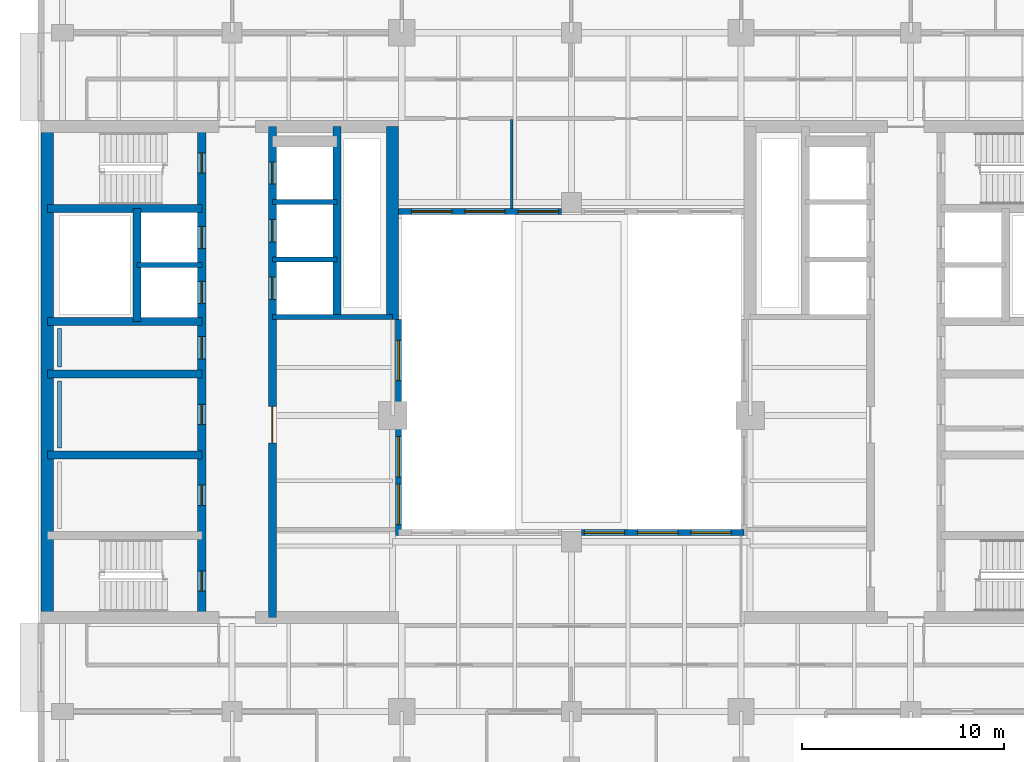
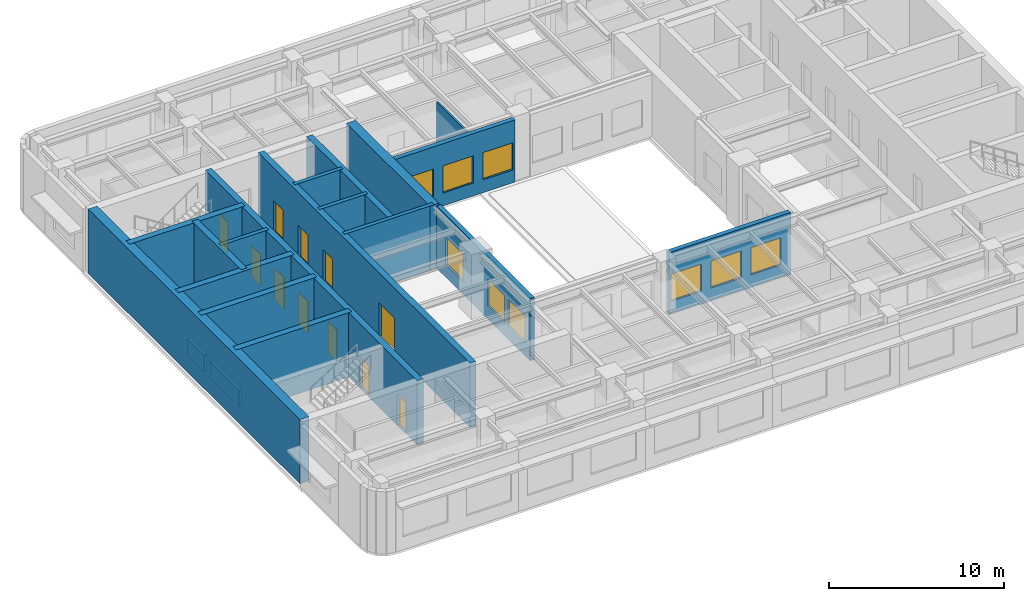
# One storey, part 4 of 11: 20 walls, 11 doors, 9 windows, 20 openings.
"""IFC4 building model written with IfcOpenShell, lengths in metres."""

from ifc_helpers import new_model, si_unit, direction, frame, frame_2d, origin, place, context, subcontext, project, spatial, rectangle, extrude, material, layer, layer_set, type_object, element, fill, save


model = new_model("IFC4")

# Units and contexts
model_context = context("Model", 3, precision=1e-05, world=origin(), true_north=direction((0.0, 1.0)))
body_context = subcontext(model_context, "Body", "Model", "MODEL_VIEW")
ifc_project = project(units=[si_unit("LENGTHUNIT", "METRE"), si_unit("AREAUNIT", "SQUARE_METRE"), si_unit("VOLUMEUNIT", "CUBIC_METRE"), si_unit("PLANEANGLEUNIT", "RADIAN"), si_unit("MASSUNIT", "GRAM", prefix="KILO")], contexts=[model_context])

# Site, building, storey
site_placement = place(None, origin())
site = spatial("IfcSite", under=ifc_project, at=site_placement, CompositionType="ELEMENT")
building_placement = place(site_placement, origin())
building = spatial("IfcBuilding", under=site, at=building_placement, Name="Claustro Exchange Tower", CompositionType="ELEMENT")
storey_placement = place(building_placement, frame((0.0, 0.0, 254.699951171875)))
storey = spatial("IfcBuildingStorey", under=building, at=storey_placement, Name="L58", CompositionType="ELEMENT", Elevation=254.699951171875)

# Wall
ifc_material_1 = material(Name="Laminated glass in aluminium frame", Category="aluminium")
ifc_layer_1 = layer(ifc_material_1, 0.1201171875)
ifc_layer_set_1 = layer_set([ifc_layer_1], Name="Laminated glass in aluminium frame")
wall_type_1 = type_object("IfcWallType", Name="P2 120 glazed partition", PredefinedType="PARTITIONING", material=ifc_layer_set_1)
wall_1_placement = place(storey_placement, frame((22.239990234375, 33.298095703125, 0.0), z_axis=(0.0, 0.0, 1.0), x_axis=(0.0, 1.0, 0.0)))
element("IfcWall", 1, at=wall_1_placement, inside=storey, type_object=wall_type_1, Name="Partition P2 L58", PredefinedType="PARTITIONING", context=body_context, shape_type="SweptSolid", body=[
    extrude(rectangle(XDim=4.40380859375, YDim=0.1201171875, at=frame_2d((2.201904296875, 0.0))), origin(), (0.0, 0.0, 1.0), 3.66015625),
])

# Wall, openings, windows
ifc_material_2 = material(Name="Concrete HA-40 (C40/50), precast, white cement, acid-etched", Category="concrete")
ifc_layer_2 = layer(ifc_material_2, 0.300048828125)
ifc_layer_set_2 = layer_set([ifc_layer_2], Name="Concrete HA-40 (C40/50), precast, white cement, acid-etched")
wall_type_2 = type_object("IfcWallType", Name="PC1 300 precast concrete pier panel", PredefinedType="SOLIDWALL", material=ifc_layer_set_2)
wall_2_placement = place(storey_placement, frame((16.64990234375, 17.10009765625, 0.0), z_axis=(0.0, 0.0, 1.0), x_axis=(0.0, 1.0, 0.0)))
wall_2 = element("IfcWall", 2, at=wall_2_placement, inside=storey, type_object=wall_type_2, Name="Precast pier panel PC1 L58", PredefinedType="SOLIDWALL", context=body_context, shape_type="SweptSolid", body=[
    extrude(rectangle(XDim=10.699951171875, YDim=0.300048828125, at=frame_2d((5.35009765625, 0.0))), origin(), (0.0, 0.0, 1.0), 4.35009765625),
])
opening_1_placement = place(wall_2_placement, frame((0.550048828125, 0.0, 0.89990234375)))
opening_1 = element("IfcOpeningElement", 3, at=opening_1_placement, cuts=wall_2, Name="Opening W4", PredefinedType="OPENING", context=body_context, shape_type="SweptSolid", body=[
    extrude(rectangle(XDim=2.0, YDim=1.89990234375, at=frame_2d((1.0, 0.949951171875))), frame((0.0, 0.159912109375, 0.0), z_axis=(0.0, -1.0, 0.0), x_axis=(1.0, 0.0, 0.0)), (0.0, 0.0, 1.0), 0.320068359375),
])
opening_2_placement = place(wall_2_placement, frame((2.89990234375, 0.0, 0.89990234375)))
opening_2 = element("IfcOpeningElement", 4, at=opening_2_placement, cuts=wall_2, Name="Opening W4", PredefinedType="OPENING", context=body_context, shape_type="SweptSolid", body=[
    extrude(rectangle(XDim=2.0, YDim=1.89990234375, at=frame_2d((1.0, 0.949951171875))), frame((0.0, 0.159912109375, 0.0), z_axis=(0.0, -1.0, 0.0), x_axis=(1.0, 0.0, 0.0)), (0.0, 0.0, 1.0), 0.320068359375),
])
opening_3_placement = place(wall_2_placement, frame((7.675048828125, 0.0, 0.89990234375)))
opening_3 = element("IfcOpeningElement", 5, at=opening_3_placement, cuts=wall_2, Name="Opening W4", PredefinedType="OPENING", context=body_context, shape_type="SweptSolid", body=[
    extrude(rectangle(XDim=2.0, YDim=1.89990234375, at=frame_2d((1.0, 0.949951171875))), frame((0.0, 0.159912109375, 0.0), z_axis=(0.0, -1.0, 0.0), x_axis=(1.0, 0.0, 0.0)), (0.0, 0.0, 1.0), 0.320068359375),
])
ifc_material_3 = material(Name="Aluminium frame, clear double glazing", Category="aluminium")
window_type = type_object("IfcWindowType", Name="W4 2000 x 1900 light well window", PartitioningType="SINGLE_PANEL", PredefinedType="WINDOW", material=ifc_material_3)
window_1_placement = place(opening_1_placement, origin())
window_1 = element("IfcWindow", 6, at=window_1_placement, inside=storey, type_object=window_type, Name="Window W4 L58", OverallHeight=1.89990234375, OverallWidth=2.0, PartitioningType="SINGLE_PANEL", PredefinedType="WINDOW", context=body_context, shape_type="SweptSolid", body=[
    extrude(rectangle(XDim=2.0, YDim=1.89990234375, at=frame_2d((1.0, 0.949951171875))), frame((0.0, 0.030029296875, 0.0), z_axis=(0.0, -1.0, 0.0), x_axis=(1.0, 0.0, 0.0)), (0.0, 0.0, 1.0), 0.06005859375),
])
fill(opening_1, window_1)
window_2_placement = place(opening_2_placement, origin())
window_2 = element("IfcWindow", 7, at=window_2_placement, inside=storey, type_object=window_type, Name="Window W4 L58", OverallHeight=1.89990234375, OverallWidth=2.0, PartitioningType="SINGLE_PANEL", PredefinedType="WINDOW", context=body_context, shape_type="SweptSolid", body=[
    extrude(rectangle(XDim=2.0, YDim=1.89990234375, at=frame_2d((1.0, 0.949951171875))), frame((0.0, 0.030029296875, 0.0), z_axis=(0.0, -1.0, 0.0), x_axis=(1.0, 0.0, 0.0)), (0.0, 0.0, 1.0), 0.06005859375),
])
fill(opening_2, window_2)
window_3_placement = place(opening_3_placement, origin())
window_3 = element("IfcWindow", 8, at=window_3_placement, inside=storey, type_object=window_type, Name="Window W4 L58", OverallHeight=1.89990234375, OverallWidth=2.0, PartitioningType="SINGLE_PANEL", PredefinedType="WINDOW", context=body_context, shape_type="SweptSolid", body=[
    extrude(rectangle(XDim=2.0, YDim=1.89990234375, at=frame_2d((1.0, 0.949951171875))), frame((0.0, 0.030029296875, 0.0), z_axis=(0.0, -1.0, 0.0), x_axis=(1.0, 0.0, 0.0)), (0.0, 0.0, 1.0), 0.06005859375),
])
fill(opening_3, window_3)

wall_3_placement = place(storey_placement, frame((25.699951171875, 17.25, 0.0), z_axis=(0.0, 0.0, 1.0), x_axis=(1.0, 0.0, 0.0)))
wall_3 = element("IfcWall", 9, at=wall_3_placement, inside=storey, type_object=wall_type_2, Name="Precast pier panel PC1 L58", PredefinedType="SOLIDWALL", context=body_context, shape_type="SweptSolid", body=[
    extrude(rectangle(XDim=8.050048828125, YDim=0.300048828125, at=frame_2d((4.02490234375, 0.0))), origin(), (0.0, 0.0, 1.0), 4.35009765625),
])
opening_4_placement = place(wall_3_placement, frame((0.137451171875, 0.0, 0.89990234375)))
opening_4 = element("IfcOpeningElement", 10, at=opening_4_placement, cuts=wall_3, Name="Opening W4", PredefinedType="OPENING", context=body_context, shape_type="SweptSolid", body=[
    extrude(rectangle(XDim=2.0, YDim=1.89990234375, at=frame_2d((1.0, 0.949951171875))), frame((0.0, 0.159912109375, 0.0), z_axis=(0.0, -1.0, 0.0), x_axis=(1.0, 0.0, 0.0)), (0.0, 0.0, 1.0), 0.320068359375),
])
opening_5_placement = place(wall_3_placement, frame((2.77490234375, 0.0, 0.89990234375)))
opening_5 = element("IfcOpeningElement", 11, at=opening_5_placement, cuts=wall_3, Name="Opening W4", PredefinedType="OPENING", context=body_context, shape_type="SweptSolid", body=[
    extrude(rectangle(XDim=2.0, YDim=1.89990234375, at=frame_2d((1.0, 0.949951171875))), frame((0.0, 0.159912109375, 0.0), z_axis=(0.0, -1.0, 0.0), x_axis=(1.0, 0.0, 0.0)), (0.0, 0.0, 1.0), 0.320068359375),
])
opening_6_placement = place(wall_3_placement, frame((5.41259765625, 0.0, 0.89990234375)))
opening_6 = element("IfcOpeningElement", 12, at=opening_6_placement, cuts=wall_3, Name="Opening W4", PredefinedType="OPENING", context=body_context, shape_type="SweptSolid", body=[
    extrude(rectangle(XDim=2.0, YDim=1.89990234375, at=frame_2d((1.0, 0.949951171875))), frame((0.0, 0.159912109375, 0.0), z_axis=(0.0, -1.0, 0.0), x_axis=(1.0, 0.0, 0.0)), (0.0, 0.0, 1.0), 0.320068359375),
])
window_4_placement = place(opening_4_placement, origin())
window_4 = element("IfcWindow", 13, at=window_4_placement, inside=storey, type_object=window_type, Name="Window W4 L58", OverallHeight=1.89990234375, OverallWidth=2.0, PartitioningType="SINGLE_PANEL", PredefinedType="WINDOW", context=body_context, shape_type="SweptSolid", body=[
    extrude(rectangle(XDim=2.0, YDim=1.89990234375, at=frame_2d((1.0, 0.949951171875))), frame((0.0, 0.030029296875, 0.0), z_axis=(0.0, -1.0, 0.0), x_axis=(1.0, 0.0, 0.0)), (0.0, 0.0, 1.0), 0.06005859375),
])
fill(opening_4, window_4)
window_5_placement = place(opening_5_placement, origin())
window_5 = element("IfcWindow", 14, at=window_5_placement, inside=storey, type_object=window_type, Name="Window W4 L58", OverallHeight=1.89990234375, OverallWidth=2.0, PartitioningType="SINGLE_PANEL", PredefinedType="WINDOW", context=body_context, shape_type="SweptSolid", body=[
    extrude(rectangle(XDim=2.0, YDim=1.89990234375, at=frame_2d((1.0, 0.949951171875))), frame((0.0, 0.030029296875, 0.0), z_axis=(0.0, -1.0, 0.0), x_axis=(1.0, 0.0, 0.0)), (0.0, 0.0, 1.0), 0.06005859375),
])
fill(opening_5, window_5)
window_6_placement = place(opening_6_placement, origin())
window_6 = element("IfcWindow", 15, at=window_6_placement, inside=storey, type_object=window_type, Name="Window W4 L58", OverallHeight=1.89990234375, OverallWidth=2.0, PartitioningType="SINGLE_PANEL", PredefinedType="WINDOW", context=body_context, shape_type="SweptSolid", body=[
    extrude(rectangle(XDim=2.0, YDim=1.89990234375, at=frame_2d((1.0, 0.949951171875))), frame((0.0, 0.030029296875, 0.0), z_axis=(0.0, -1.0, 0.0), x_axis=(1.0, 0.0, 0.0)), (0.0, 0.0, 1.0), 0.06005859375),
])
fill(opening_6, window_6)

wall_4_placement = place(storey_placement, frame((16.64990234375, 33.14990234375, 0.0), z_axis=(0.0, 0.0, 1.0), x_axis=(1.0, 0.0, 0.0)))
wall_4 = element("IfcWall", 16, at=wall_4_placement, inside=storey, type_object=wall_type_2, Name="Precast pier panel PC1 L58", PredefinedType="SOLIDWALL", context=body_context, shape_type="SweptSolid", body=[
    extrude(rectangle(XDim=8.050048828125, YDim=0.300048828125, at=frame_2d((4.02490234375, 0.0))), origin(), (0.0, 0.0, 1.0), 4.35009765625),
])
opening_7_placement = place(wall_4_placement, frame((0.637451171875, 0.0, 0.89990234375)))
opening_7 = element("IfcOpeningElement", 17, at=opening_7_placement, cuts=wall_4, Name="Opening W4", PredefinedType="OPENING", context=body_context, shape_type="SweptSolid", body=[
    extrude(rectangle(XDim=2.0, YDim=1.89990234375, at=frame_2d((1.0, 0.949951171875))), frame((0.0, 0.159912109375, 0.0), z_axis=(0.0, -1.0, 0.0), x_axis=(1.0, 0.0, 0.0)), (0.0, 0.0, 1.0), 0.320068359375),
])
opening_8_placement = place(wall_4_placement, frame((3.27490234375, 0.0, 0.89990234375)))
opening_8 = element("IfcOpeningElement", 18, at=opening_8_placement, cuts=wall_4, Name="Opening W4", PredefinedType="OPENING", context=body_context, shape_type="SweptSolid", body=[
    extrude(rectangle(XDim=2.0, YDim=1.89990234375, at=frame_2d((1.0, 0.949951171875))), frame((0.0, 0.159912109375, 0.0), z_axis=(0.0, -1.0, 0.0), x_axis=(1.0, 0.0, 0.0)), (0.0, 0.0, 1.0), 0.320068359375),
])
opening_9_placement = place(wall_4_placement, frame((5.91259765625, 0.0, 0.89990234375)))
opening_9 = element("IfcOpeningElement", 19, at=opening_9_placement, cuts=wall_4, Name="Opening W4", PredefinedType="OPENING", context=body_context, shape_type="SweptSolid", body=[
    extrude(rectangle(XDim=2.0, YDim=1.89990234375, at=frame_2d((1.0, 0.949951171875))), frame((0.0, 0.159912109375, 0.0), z_axis=(0.0, -1.0, 0.0), x_axis=(1.0, 0.0, 0.0)), (0.0, 0.0, 1.0), 0.320068359375),
])
window_7_placement = place(opening_7_placement, origin())
window_7 = element("IfcWindow", 20, at=window_7_placement, inside=storey, type_object=window_type, Name="Window W4 L58", OverallHeight=1.89990234375, OverallWidth=2.0, PartitioningType="SINGLE_PANEL", PredefinedType="WINDOW", context=body_context, shape_type="SweptSolid", body=[
    extrude(rectangle(XDim=2.0, YDim=1.89990234375, at=frame_2d((1.0, 0.949951171875))), frame((0.0, 0.030029296875, 0.0), z_axis=(0.0, -1.0, 0.0), x_axis=(1.0, 0.0, 0.0)), (0.0, 0.0, 1.0), 0.06005859375),
])
fill(opening_7, window_7)
window_8_placement = place(opening_8_placement, origin())
window_8 = element("IfcWindow", 21, at=window_8_placement, inside=storey, type_object=window_type, Name="Window W4 L58", OverallHeight=1.89990234375, OverallWidth=2.0, PartitioningType="SINGLE_PANEL", PredefinedType="WINDOW", context=body_context, shape_type="SweptSolid", body=[
    extrude(rectangle(XDim=2.0, YDim=1.89990234375, at=frame_2d((1.0, 0.949951171875))), frame((0.0, 0.030029296875, 0.0), z_axis=(0.0, -1.0, 0.0), x_axis=(1.0, 0.0, 0.0)), (0.0, 0.0, 1.0), 0.06005859375),
])
fill(opening_8, window_8)
window_9_placement = place(opening_9_placement, origin())
window_9 = element("IfcWindow", 22, at=window_9_placement, inside=storey, type_object=window_type, Name="Window W4 L58", OverallHeight=1.89990234375, OverallWidth=2.0, PartitioningType="SINGLE_PANEL", PredefinedType="WINDOW", context=body_context, shape_type="SweptSolid", body=[
    extrude(rectangle(XDim=2.0, YDim=1.89990234375, at=frame_2d((1.0, 0.949951171875))), frame((0.0, 0.030029296875, 0.0), z_axis=(0.0, -1.0, 0.0), x_axis=(1.0, 0.0, 0.0)), (0.0, 0.0, 1.0), 0.06005859375),
])
fill(opening_9, window_9)

# Walls
ifc_material_4 = material(Name="Gypsum board on steel studs, tiled", Category="steel")
ifc_layer_3 = layer(ifc_material_4, 0.199951171875)
ifc_layer_set_3 = layer_set([ifc_layer_3], Name="Gypsum board on steel studs, tiled")
wall_type_3 = type_object("IfcWallType", Name="PW1 200 WC duct wall", PredefinedType="PLUMBINGWALL", material=ifc_layer_set_3)
wall_5_placement = place(storey_placement, frame((-0.14990234375, 21.449951171875, 0.0), z_axis=(0.0, 0.0, 1.0), x_axis=(0.0, 1.0, 0.0)))
element("IfcWall", 23, at=wall_5_placement, inside=storey, type_object=wall_type_3, Name="WC duct wall PW1 L58", PredefinedType="PLUMBINGWALL", context=body_context, shape_type="SweptSolid", body=[
    extrude(rectangle(XDim=3.300048828125, YDim=0.199951171875, at=frame_2d((1.64990234375, 0.0))), origin(), (0.0, 0.0, 1.0), 1.199951171875),
])
wall_6_placement = place(storey_placement, frame((-0.14990234375, 25.449951171875, 0.0), z_axis=(0.0, 0.0, 1.0), x_axis=(0.0, 1.0, 0.0)))
element("IfcWall", 24, at=wall_6_placement, inside=storey, type_object=wall_type_3, Name="WC duct wall PW1 L58", PredefinedType="PLUMBINGWALL", context=body_context, shape_type="SweptSolid", body=[
    extrude(rectangle(XDim=1.900146484375, YDim=0.199951171875, at=frame_2d((0.9501953125, 0.0))), origin(), (0.0, 0.0, 1.0), 1.199951171875),
])
ifc_material_5 = material(Name="Concrete HA-50 (C50/60)", Category="concrete")
ifc_layer_4 = layer(ifc_material_5, 0.60009765625)
ifc_layer_set_4 = layer_set([ifc_layer_4], Name="Concrete HA-50 (C50/60)")
wall_type_4 = type_object("IfcWallType", Name="SW3X 600 exposed core shear wall, board-marked face", PredefinedType="SHEAR", material=ifc_layer_set_4)
wall_7_placement = place(storey_placement, frame((-0.75, 13.050048828125, 0.0), z_axis=(0.0, 0.0, 1.0), x_axis=(0.0, 1.0, 0.0)))
element("IfcWall", 25, at=wall_7_placement, inside=storey, type_object=wall_type_4, Name="Core wall SW3X W core W face L58", PredefinedType="SHEAR", context=body_context, shape_type="SweptSolid", body=[
    extrude(rectangle(XDim=24.300048828125, YDim=0.60009765625, at=frame_2d((12.14990234375, 0.0))), origin(), (0.0, 0.0, 1.0), 4.5),
])
wall_8_placement = place(storey_placement, frame((16.35009765625, 27.800048828125, 0.0), z_axis=(0.0, 0.0, 1.0), x_axis=(0.0, 1.0, 0.0)))
element("IfcWall", 26, at=wall_8_placement, inside=storey, type_object=wall_type_4, Name="Core wall SW3X W core E face L58", PredefinedType="SHEAR", context=body_context, shape_type="SweptSolid", body=[
    extrude(rectangle(XDim=9.550048828125, YDim=0.60009765625, at=frame_2d((4.77490234375, 0.0))), origin(), (0.0, 0.0, 1.0), 4.5),
])

# Wall, openings, doors
ifc_material_6 = material(Name="Concrete HA-50 (C50/60)", Category="concrete")
ifc_layer_5 = layer(ifc_material_6, 0.39990234375)
ifc_layer_set_5 = layer_set([ifc_layer_5], Name="Concrete HA-50 (C50/60)")
wall_type_5 = type_object("IfcWallType", Name="SW4 400 internal core wall", PredefinedType="SHEAR", material=ifc_layer_set_5)
wall_9_placement = place(storey_placement, frame((6.89990234375, 13.050048828125, 0.0), z_axis=(0.0, 0.0, 1.0), x_axis=(0.0, 1.0, 0.0)))
wall_9 = element("IfcWall", 27, at=wall_9_placement, inside=storey, type_object=wall_type_5, Name="Internal core wall SW4 W core L58", PredefinedType="SHEAR", context=body_context, shape_type="SweptSolid", body=[
    extrude(rectangle(XDim=24.300048828125, YDim=0.39990234375, at=frame_2d((12.14990234375, 0.0))), origin(), (0.0, 0.0, 1.0), 4.5),
])
opening_10_placement = place(wall_9_placement, frame((1.300048828125, 0.0, 0.0)))
opening_10 = element("IfcOpeningElement", 28, at=opening_10_placement, cuts=wall_9, Name="Opening D4", PredefinedType="OPENING", context=body_context, shape_type="SweptSolid", body=[
    extrude(rectangle(XDim=1.0, YDim=2.199951171875, at=frame_2d((0.5, 1.10009765625))), frame((0.0, 0.2099609375, 0.0), z_axis=(0.0, -1.0, 0.0), x_axis=(1.0, 0.0, 0.0)), (0.0, 0.0, 1.0), 0.419921875),
])
opening_11_placement = place(wall_9_placement, frame((22.0, 0.0, 0.0)))
opening_11 = element("IfcOpeningElement", 29, at=opening_11_placement, cuts=wall_9, Name="Opening D4", PredefinedType="OPENING", context=body_context, shape_type="SweptSolid", body=[
    extrude(rectangle(XDim=1.0, YDim=2.199951171875, at=frame_2d((0.5, 1.10009765625))), frame((0.0, 0.2099609375, 0.0), z_axis=(0.0, -1.0, 0.0), x_axis=(1.0, 0.0, 0.0)), (0.0, 0.0, 1.0), 0.419921875),
])
opening_12_placement = place(wall_9_placement, frame((5.550048828125, 0.0, 0.0)))
opening_12 = element("IfcOpeningElement", 30, at=opening_12_placement, cuts=wall_9, Name="Opening D1", PredefinedType="OPENING", context=body_context, shape_type="SweptSolid", body=[
    extrude(rectangle(XDim=1.0, YDim=2.199951171875, at=frame_2d((0.5, 1.10009765625))), frame((0.0, 0.2099609375, 0.0), z_axis=(0.0, -1.0, 0.0), x_axis=(1.0, 0.0, 0.0)), (0.0, 0.0, 1.0), 0.419921875),
])
opening_13_placement = place(wall_9_placement, frame((9.550048828125, 0.0, 0.0)))
opening_13 = element("IfcOpeningElement", 31, at=opening_13_placement, cuts=wall_9, Name="Opening D1", PredefinedType="OPENING", context=body_context, shape_type="SweptSolid", body=[
    extrude(rectangle(XDim=1.0, YDim=2.199951171875, at=frame_2d((0.5, 1.10009765625))), frame((0.0, 0.2099609375, 0.0), z_axis=(0.0, -1.0, 0.0), x_axis=(1.0, 0.0, 0.0)), (0.0, 0.0, 1.0), 0.419921875),
])
opening_14_placement = place(wall_9_placement, frame((12.800048828125, 0.0, 0.0)))
opening_14 = element("IfcOpeningElement", 32, at=opening_14_placement, cuts=wall_9, Name="Opening D10", PredefinedType="OPENING", context=body_context, shape_type="SweptSolid", body=[
    extrude(rectangle(XDim=1.10009765625, YDim=2.199951171875, at=frame_2d((0.550048828125, 1.10009765625))), frame((0.0, 0.2099609375, 0.0), z_axis=(0.0, -1.0, 0.0), x_axis=(1.0, 0.0, 0.0)), (0.0, 0.0, 1.0), 0.419921875),
])
opening_15_placement = place(wall_9_placement, frame((15.53759765625, 0.0, 0.0)))
opening_15 = element("IfcOpeningElement", 33, at=opening_15_placement, cuts=wall_9, Name="Opening LD", PredefinedType="OPENING", context=body_context, shape_type="SweptSolid", body=[
    extrude(rectangle(XDim=1.10009765625, YDim=2.199951171875, at=frame_2d((0.550048828125, 1.10009765625))), frame((0.0, 0.2099609375, 0.0), z_axis=(0.0, -1.0, 0.0), x_axis=(1.0, 0.0, 0.0)), (0.0, 0.0, 1.0), 0.419921875),
])
opening_16_placement = place(wall_9_placement, frame((18.262451171875, 0.0, 0.0)))
opening_16 = element("IfcOpeningElement", 34, at=opening_16_placement, cuts=wall_9, Name="Opening LD", PredefinedType="OPENING", context=body_context, shape_type="SweptSolid", body=[
    extrude(rectangle(XDim=1.10009765625, YDim=2.199951171875, at=frame_2d((0.550048828125, 1.10009765625))), frame((0.0, 0.2099609375, 0.0), z_axis=(0.0, -1.0, 0.0), x_axis=(1.0, 0.0, 0.0)), (0.0, 0.0, 1.0), 0.419921875),
])
ifc_material_7 = material(Name="Timber door, oak veneer", Category="wood")
door_type_1 = type_object("IfcDoorType", Name="D1 1000 x 2200 single door", OperationType="SINGLE_SWING_LEFT", PredefinedType="DOOR", material=ifc_material_7)
door_1_placement = place(opening_12_placement, origin())
door_1 = element("IfcDoor", 35, at=door_1_placement, inside=storey, type_object=door_type_1, Name="Door D1 L58", OperationType="SINGLE_SWING_RIGHT", OverallHeight=2.199951171875, OverallWidth=1.0, PredefinedType="DOOR", context=body_context, shape_type="SweptSolid", body=[
    extrude(rectangle(XDim=1.0, YDim=2.199951171875, at=frame_2d((0.5, 1.10009765625))), frame((0.0, 0.02490234375, 0.0), z_axis=(0.0, -1.0, 0.0), x_axis=(1.0, 0.0, 0.0)), (0.0, 0.0, 1.0), 0.050048828125),
])
fill(opening_12, door_1)
door_2_placement = place(opening_13_placement, origin())
door_2 = element("IfcDoor", 36, at=door_2_placement, inside=storey, type_object=door_type_1, Name="Door D1 L58", OperationType="SINGLE_SWING_RIGHT", OverallHeight=2.199951171875, OverallWidth=1.0, PredefinedType="DOOR", context=body_context, shape_type="SweptSolid", body=[
    extrude(rectangle(XDim=1.0, YDim=2.199951171875, at=frame_2d((0.5, 1.10009765625))), frame((0.0, 0.02490234375, 0.0), z_axis=(0.0, -1.0, 0.0), x_axis=(1.0, 0.0, 0.0)), (0.0, 0.0, 1.0), 0.050048828125),
])
fill(opening_13, door_2)
ifc_material_8 = material(Name="Timber door, oak veneer", Category="wood")
door_type_2 = type_object("IfcDoorType", Name="D10 1100 x 2200 accessible WC door", OperationType="SINGLE_SWING_LEFT", PredefinedType="DOOR", material=ifc_material_8)
door_3_placement = place(opening_14_placement, frame((1.10009765625, 0.0, 0.0), z_axis=(0.0, 0.0, 1.0), x_axis=(-1.0, 0.0, 0.0)))
door_3 = element("IfcDoor", 37, at=door_3_placement, inside=storey, type_object=door_type_2, Name="Accessible WC door D10 L58", OperationType="SINGLE_SWING_LEFT", OverallHeight=2.199951171875, OverallWidth=1.10009765625, PredefinedType="DOOR", context=body_context, shape_type="SweptSolid", body=[
    extrude(rectangle(XDim=1.10009765625, YDim=2.199951171875, at=frame_2d((0.550048828125, 1.10009765625))), frame((0.0, 0.02490234375, 0.0), z_axis=(0.0, -1.0, 0.0), x_axis=(1.0, 0.0, 0.0)), (0.0, 0.0, 1.0), 0.050048828125),
])
fill(opening_14, door_3)
ifc_material_9 = material(Name="Steel fire door, painted", Category="steel")
door_type_3 = type_object("IfcDoorType", Name="D4 1000 x 2200 fire-rated stair door", OperationType="SINGLE_SWING_LEFT", PredefinedType="DOOR", material=ifc_material_9)
door_4_placement = place(opening_10_placement, origin())
door_4 = element("IfcDoor", 38, at=door_4_placement, inside=storey, type_object=door_type_3, Name="Stair door D4 L58", OperationType="SINGLE_SWING_LEFT", OverallHeight=2.199951171875, OverallWidth=1.0, PredefinedType="DOOR", context=body_context, shape_type="SweptSolid", body=[
    extrude(rectangle(XDim=1.0, YDim=2.199951171875, at=frame_2d((0.5, 1.10009765625))), frame((0.0, 0.02490234375, 0.0), z_axis=(0.0, -1.0, 0.0), x_axis=(1.0, 0.0, 0.0)), (0.0, 0.0, 1.0), 0.050048828125),
])
fill(opening_10, door_4)
door_5_placement = place(opening_11_placement, origin())
door_5 = element("IfcDoor", 39, at=door_5_placement, inside=storey, type_object=door_type_3, Name="Stair door D4 L58", OperationType="SINGLE_SWING_RIGHT", OverallHeight=2.199951171875, OverallWidth=1.0, PredefinedType="DOOR", context=body_context, shape_type="SweptSolid", body=[
    extrude(rectangle(XDim=1.0, YDim=2.199951171875, at=frame_2d((0.5, 1.10009765625))), frame((0.0, 0.02490234375, 0.0), z_axis=(0.0, -1.0, 0.0), x_axis=(1.0, 0.0, 0.0)), (0.0, 0.0, 1.0), 0.050048828125),
])
fill(opening_11, door_5)
ifc_material_10 = material(Name="Stainless steel sliding door", Category="steel")
door_type_4 = type_object("IfcDoorType", Name="LD 1100 x 2200 lift landing door", OperationType="DOUBLE_DOOR_SLIDING", PredefinedType="DOOR", material=ifc_material_10)
door_6_placement = place(opening_15_placement, origin())
door_6 = element("IfcDoor", 40, at=door_6_placement, inside=storey, type_object=door_type_4, Name="Lift landing door LEW1 LD L58", OperationType="DOUBLE_DOOR_SLIDING", OverallHeight=2.199951171875, OverallWidth=1.10009765625, PredefinedType="DOOR", context=body_context, shape_type="SweptSolid", body=[
    extrude(rectangle(XDim=1.10009765625, YDim=2.199951171875, at=frame_2d((0.550048828125, 1.10009765625))), frame((0.0, 0.02490234375, 0.0), z_axis=(0.0, -1.0, 0.0), x_axis=(1.0, 0.0, 0.0)), (0.0, 0.0, 1.0), 0.050048828125),
])
fill(opening_15, door_6)
door_7_placement = place(opening_16_placement, origin())
door_7 = element("IfcDoor", 41, at=door_7_placement, inside=storey, type_object=door_type_4, Name="Lift landing door LEW2 LD L58", OperationType="DOUBLE_DOOR_SLIDING", OverallHeight=2.199951171875, OverallWidth=1.10009765625, PredefinedType="DOOR", context=body_context, shape_type="SweptSolid", body=[
    extrude(rectangle(XDim=1.10009765625, YDim=2.199951171875, at=frame_2d((0.550048828125, 1.10009765625))), frame((0.0, 0.02490234375, 0.0), z_axis=(0.0, -1.0, 0.0), x_axis=(1.0, 0.0, 0.0)), (0.0, 0.0, 1.0), 0.050048828125),
])
fill(opening_16, door_7)

wall_10_placement = place(storey_placement, frame((10.39990234375, 13.050048828125, 0.0), z_axis=(0.0, 0.0, 1.0), x_axis=(0.0, 1.0, 0.0)))
wall_10 = element("IfcWall", 42, at=wall_10_placement, inside=storey, type_object=wall_type_5, Name="Internal core wall SW4 W core L58", PredefinedType="SHEAR", context=body_context, shape_type="SweptSolid", body=[
    extrude(rectangle(XDim=24.300048828125, YDim=0.39990234375, at=frame_2d((12.14990234375, 0.0))), origin(), (0.0, 0.0, 1.0), 4.5),
])
opening_17_placement = place(wall_10_placement, frame((15.75, 0.0, 0.0)))
opening_17 = element("IfcOpeningElement", 43, at=opening_17_placement, cuts=wall_10, Name="Opening LD", PredefinedType="OPENING", context=body_context, shape_type="SweptSolid", body=[
    extrude(rectangle(XDim=1.10009765625, YDim=2.199951171875, at=frame_2d((0.550048828125, 1.10009765625))), frame((0.0, 0.2099609375, 0.0), z_axis=(0.0, -1.0, 0.0), x_axis=(1.0, 0.0, 0.0)), (0.0, 0.0, 1.0), 0.419921875),
])
opening_18_placement = place(wall_10_placement, frame((18.60009765625, 0.0, 0.0)))
opening_18 = element("IfcOpeningElement", 44, at=opening_18_placement, cuts=wall_10, Name="Opening LD", PredefinedType="OPENING", context=body_context, shape_type="SweptSolid", body=[
    extrude(rectangle(XDim=1.10009765625, YDim=2.199951171875, at=frame_2d((0.550048828125, 1.10009765625))), frame((0.0, 0.2099609375, 0.0), z_axis=(0.0, -1.0, 0.0), x_axis=(1.0, 0.0, 0.0)), (0.0, 0.0, 1.0), 0.419921875),
])
opening_19_placement = place(wall_10_placement, frame((21.449951171875, 0.0, 0.0)))
opening_19 = element("IfcOpeningElement", 45, at=opening_19_placement, cuts=wall_10, Name="Opening LD", PredefinedType="OPENING", context=body_context, shape_type="SweptSolid", body=[
    extrude(rectangle(XDim=1.10009765625, YDim=2.199951171875, at=frame_2d((0.550048828125, 1.10009765625))), frame((0.0, 0.2099609375, 0.0), z_axis=(0.0, -1.0, 0.0), x_axis=(1.0, 0.0, 0.0)), (0.0, 0.0, 1.0), 0.419921875),
])
opening_20_placement = place(wall_10_placement, frame((8.64990234375, 0.0, 0.0)))
opening_20 = element("IfcOpeningElement", 46, at=opening_20_placement, cuts=wall_10, Name="Opening D3", PredefinedType="OPENING", context=body_context, shape_type="SweptSolid", body=[
    extrude(rectangle(XDim=1.800048828125, YDim=2.39990234375, at=frame_2d((0.89990234375, 1.199951171875))), frame((0.0, 0.2099609375, 0.0), z_axis=(0.0, -1.0, 0.0), x_axis=(1.0, 0.0, 0.0)), (0.0, 0.0, 1.0), 0.419921875),
])
ifc_material_11 = material(Name="Steel fire door, painted", Category="steel")
door_type_5 = type_object("IfcDoorType", Name="D3 1800 x 2400 fire-rated lobby double door", OperationType="DOUBLE_DOOR_SINGLE_SWING", PredefinedType="DOOR", material=ifc_material_11)
door_8_placement = place(opening_20_placement, frame((1.800048828125, 0.0, 0.0), z_axis=(0.0, 0.0, 1.0), x_axis=(-1.0, 0.0, 0.0)))
door_8 = element("IfcDoor", 47, at=door_8_placement, inside=storey, type_object=door_type_5, Name="Core zone door D3 L58", OperationType="DOUBLE_DOOR_SINGLE_SWING", OverallHeight=2.39990234375, OverallWidth=1.800048828125, PredefinedType="DOOR", context=body_context, shape_type="SweptSolid", body=[
    extrude(rectangle(XDim=1.800048828125, YDim=2.39990234375, at=frame_2d((0.89990234375, 1.199951171875))), frame((0.0, 0.02490234375, 0.0), z_axis=(0.0, -1.0, 0.0), x_axis=(1.0, 0.0, 0.0)), (0.0, 0.0, 1.0), 0.050048828125),
])
fill(opening_20, door_8)
door_9_placement = place(opening_17_placement, origin())
door_9 = element("IfcDoor", 48, at=door_9_placement, inside=storey, type_object=door_type_4, Name="Lift landing door LHW1 LD L58", OperationType="DOUBLE_DOOR_SLIDING", OverallHeight=2.199951171875, OverallWidth=1.10009765625, PredefinedType="DOOR", context=body_context, shape_type="SweptSolid", body=[
    extrude(rectangle(XDim=1.10009765625, YDim=2.199951171875, at=frame_2d((0.550048828125, 1.10009765625))), frame((0.0, 0.02490234375, 0.0), z_axis=(0.0, -1.0, 0.0), x_axis=(1.0, 0.0, 0.0)), (0.0, 0.0, 1.0), 0.050048828125),
])
fill(opening_17, door_9)
door_10_placement = place(opening_18_placement, origin())
door_10 = element("IfcDoor", 49, at=door_10_placement, inside=storey, type_object=door_type_4, Name="Lift landing door LHW2 LD L58", OperationType="DOUBLE_DOOR_SLIDING", OverallHeight=2.199951171875, OverallWidth=1.10009765625, PredefinedType="DOOR", context=body_context, shape_type="SweptSolid", body=[
    extrude(rectangle(XDim=1.10009765625, YDim=2.199951171875, at=frame_2d((0.550048828125, 1.10009765625))), frame((0.0, 0.02490234375, 0.0), z_axis=(0.0, -1.0, 0.0), x_axis=(1.0, 0.0, 0.0)), (0.0, 0.0, 1.0), 0.050048828125),
])
fill(opening_18, door_10)
door_11_placement = place(opening_19_placement, origin())
door_11 = element("IfcDoor", 50, at=door_11_placement, inside=storey, type_object=door_type_4, Name="Lift landing door LSW1 LD L58", OperationType="DOUBLE_DOOR_SLIDING", OverallHeight=2.199951171875, OverallWidth=1.10009765625, PredefinedType="DOOR", context=body_context, shape_type="SweptSolid", body=[
    extrude(rectangle(XDim=1.10009765625, YDim=2.199951171875, at=frame_2d((0.550048828125, 1.10009765625))), frame((0.0, 0.02490234375, 0.0), z_axis=(0.0, -1.0, 0.0), x_axis=(1.0, 0.0, 0.0)), (0.0, 0.0, 1.0), 0.050048828125),
])
fill(opening_19, door_11)

# Walls
wall_11_placement = place(storey_placement, frame((13.60009765625, 27.925048828125, 0.0), z_axis=(0.0, 0.0, 1.0), x_axis=(0.0, 1.0, 0.0)))
element("IfcWall", 51, at=wall_11_placement, inside=storey, type_object=wall_type_5, Name="Internal core wall SW4 W core L58", PredefinedType="SHEAR", context=body_context, shape_type="SweptSolid", body=[
    extrude(rectangle(XDim=9.425048828125, YDim=0.39990234375, at=frame_2d((4.71240234375, 0.0))), origin(), (0.0, 0.0, 1.0), 4.5),
])
for number, where, z_axis, x_axis, name in (
    (52, (-0.75, 21.10009765625, 0.0), (0.0, 0.0, 1.0), (1.0, 0.0, 0.0), "Internal core wall SW4 W core L58"),
    (53, (-0.75, 25.10009765625, 0.0), (0.0, 0.0, 1.0), (1.0, 0.0, 0.0), "Internal core wall SW4 W core L58"),
    (54, (-0.75, 27.699951171875, 0.0), (0.0, 0.0, 1.0), (1.0, 0.0, 0.0), "Internal core wall SW4 W core L58"),
    (55, (-0.75, 33.300048828125, 0.0), (0.0, 0.0, 1.0), (1.0, 0.0, 0.0), "Internal core wall SW4 W core L58"),
):
    element("IfcWall", number, at=place(storey_placement, frame(where, z_axis=z_axis, x_axis=x_axis)), inside=storey, type_object=wall_type_5, Name=name, PredefinedType="SHEAR", context=body_context, shape_type="SweptSolid", body=[
        extrude(rectangle(XDim=7.64990234375, YDim=0.39990234375, at=frame_2d((3.824951171875, 0.0))), origin(), (0.0, 0.0, 1.0), 4.5),
    ])
wall_12_placement = place(storey_placement, frame((3.699951171875, 27.699951171875, 0.0), z_axis=(0.0, 0.0, 1.0), x_axis=(0.0, 1.0, 0.0)))
element("IfcWall", 56, at=wall_12_placement, inside=storey, type_object=wall_type_5, Name="Internal core wall SW4 W core L58", PredefinedType="SHEAR", context=body_context, shape_type="SweptSolid", body=[
    extrude(rectangle(XDim=5.60009765625, YDim=0.39990234375, at=frame_2d((2.800048828125, 0.0))), origin(), (0.0, 0.0, 1.0), 4.5),
])
ifc_material_12 = material(Name="Concrete HA-50 (C50/60)", Category="concrete")
ifc_layer_6 = layer(ifc_material_12, 0.25)
ifc_layer_set_6 = layer_set([ifc_layer_6], Name="Concrete HA-50 (C50/60)")
wall_type_6 = type_object("IfcWallType", Name="SW5 250 lift shaft divider wall", PredefinedType="SHEAR", material=ifc_layer_set_6)
wall_13_placement = place(storey_placement, frame((3.699951171875, 30.5, 0.0), z_axis=(0.0, 0.0, 1.0), x_axis=(1.0, 0.0, 0.0)))
element("IfcWall", 57, at=wall_13_placement, inside=storey, type_object=wall_type_6, Name="Lift shaft wall W core L58", PredefinedType="SHEAR", context=body_context, shape_type="SweptSolid", body=[
    extrude(rectangle(XDim=3.199951171875, YDim=0.25, at=frame_2d((1.60009765625, 0.0))), origin(), (0.0, 0.0, 1.0), 4.5),
])
wall_14_placement = place(storey_placement, frame((10.39990234375, 27.925048828125, 0.0), z_axis=(0.0, 0.0, 1.0), x_axis=(1.0, 0.0, 0.0)))
element("IfcWall", 58, at=wall_14_placement, inside=storey, type_object=wall_type_6, Name="Core step wall W core L58", PredefinedType="SHEAR", context=body_context, shape_type="SweptSolid", body=[
    extrude(rectangle(XDim=5.9501953125, YDim=0.25, at=frame_2d((2.97509765625, 0.0))), origin(), (0.0, 0.0, 1.0), 4.5),
])
for number, where, z_axis, x_axis, name in (
    (59, (10.39990234375, 30.77490234375, 0.0), (0.0, 0.0, 1.0), (1.0, 0.0, 0.0), "Lift shaft wall W core L58"),
    (60, (10.39990234375, 33.625, 0.0), (0.0, 0.0, 1.0), (1.0, 0.0, 0.0), "Lift shaft wall W core L58"),
):
    element("IfcWall", number, at=place(storey_placement, frame(where, z_axis=z_axis, x_axis=x_axis)), inside=storey, type_object=wall_type_6, Name=name, PredefinedType="SHEAR", context=body_context, shape_type="SweptSolid", body=[
        extrude(rectangle(XDim=3.2001953125, YDim=0.25, at=frame_2d((1.60009765625, 0.0))), origin(), (0.0, 0.0, 1.0), 4.5),
    ])

save(model, "model.ifc")
